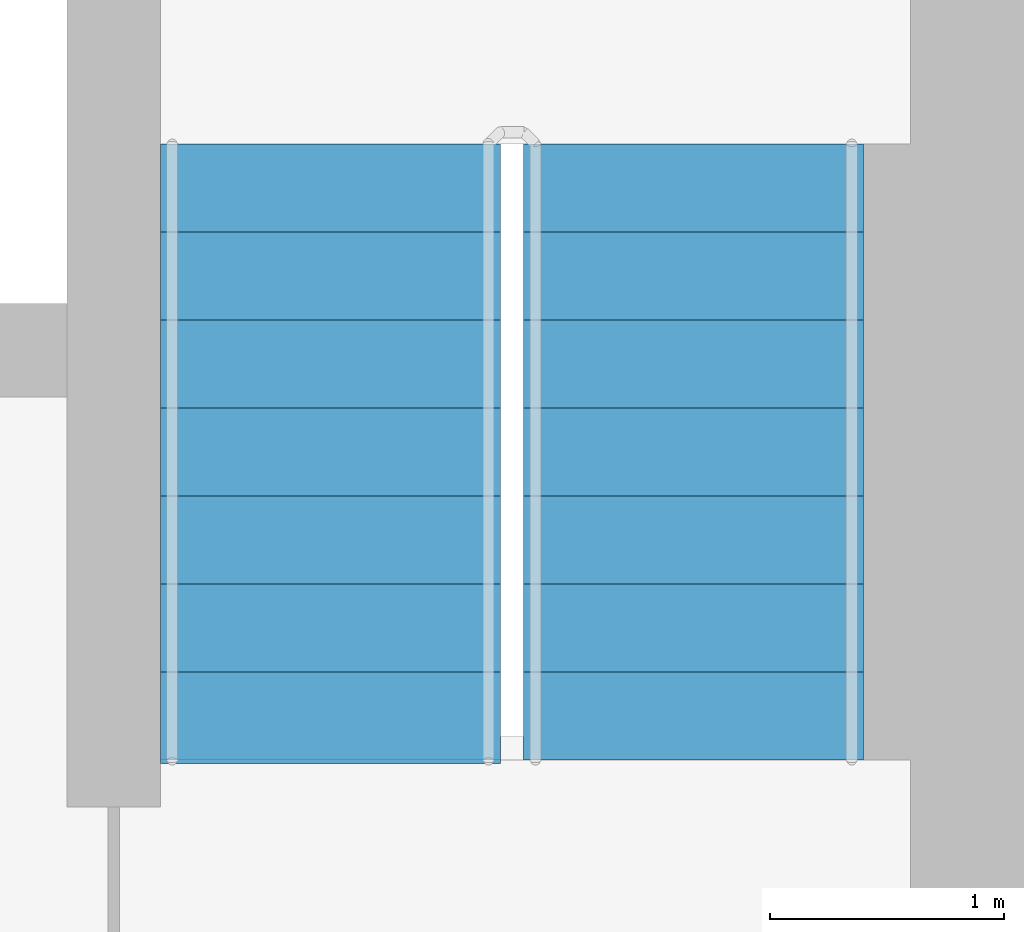
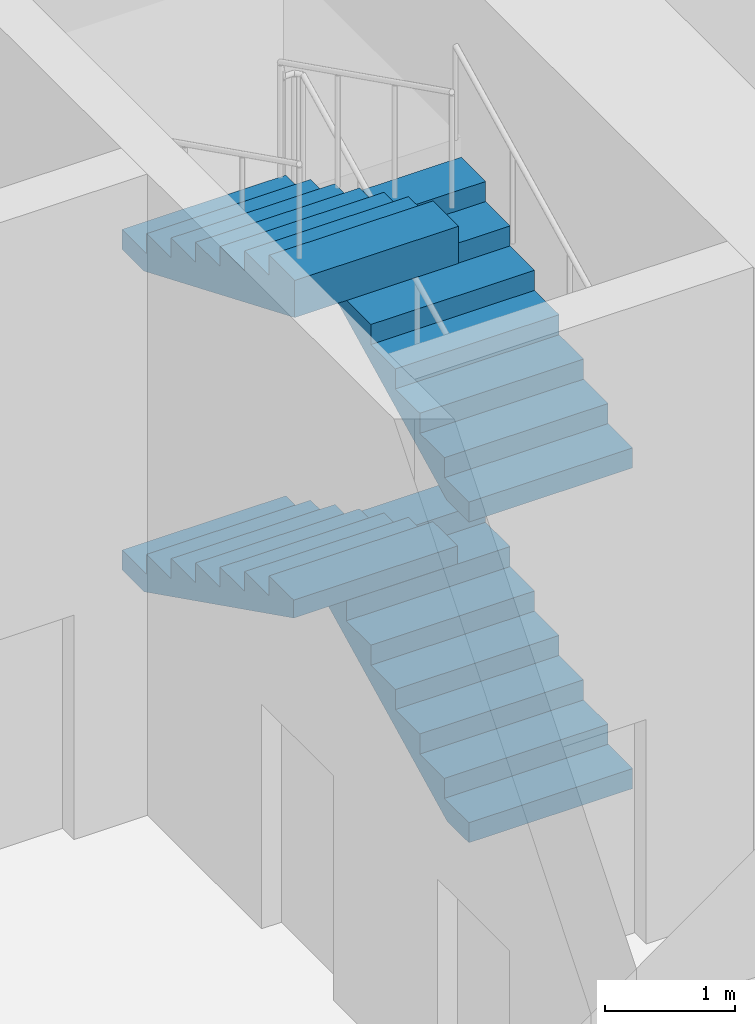
# One storey, part 17 of 21: 4 stair flights, 1 element without a shape of its own.
"""IFC4 building model written with IfcOpenShell, lengths in metres."""

from ifc_helpers import new_model, si_unit, direction, frame, origin, place, context, subcontext, project, spatial, polyline, outline, extrude, material, type_object, element, aggregate, save


model = new_model("IFC4")

# Units and contexts
model_context = context("Model", 3, precision=1e-05, world=origin(), true_north=direction((0.0, 1.0)))
body_context = subcontext(model_context, "Body", "Model", "MODEL_VIEW")
ifc_project = project(units=[si_unit("LENGTHUNIT", "METRE"), si_unit("AREAUNIT", "SQUARE_METRE"), si_unit("VOLUMEUNIT", "CUBIC_METRE"), si_unit("PLANEANGLEUNIT", "RADIAN"), si_unit("MASSUNIT", "GRAM", prefix="KILO")], contexts=[model_context])

# Site, building, storey
site_placement = place(None, origin())
site = spatial("IfcSite", under=ifc_project, at=site_placement, CompositionType="ELEMENT")
building_placement = place(site_placement, origin())
building = spatial("IfcBuilding", under=site, at=building_placement, Name="Bicima Exchange Tower", CompositionType="ELEMENT")
storey_placement = place(building_placement, frame((0.0, 0.0, 8.0)))
storey = spatial("IfcBuildingStorey", under=building, at=storey_placement, Name="L01", CompositionType="ELEMENT", Elevation=8.0)

# Stair, stair flights
ifc_material = material(Name="Concrete C50/60", Category="concrete")
stair_type = type_object("IfcStairType", Name="Exit stair", PredefinedType="HALF_TURN_STAIR", material=ifc_material)
stair_placement = place(storey_placement, origin())
stair = element("IfcStair", 1, at=stair_placement, inside=storey, type_object=stair_type, Name="L01 East exit stair", PredefinedType="HALF_TURN_STAIR")
stair_flight_type = type_object("IfcStairFlightType", Name="Stair flight RC", PredefinedType="STRAIGHT", material=ifc_material)
stair_flight_1_placement = place(storey_placement, frame((20.074951171875, -6.550048828125, 0.0), z_axis=(0.0, 0.0, 1.0), x_axis=(0.0, 1.0, 0.0)))
stair_flight_1 = element("IfcStairFlight", 2, at=stair_flight_1_placement, type_object=stair_flight_type, Name="ST-E flight 1", NumberOfRisers=8, NumberOfTreads=7, PredefinedType="STRAIGHT", RiserHeight=0.1875, TreadLength=0.375714286, context=body_context, shape_type="SweptSolid", body=[
    extrude(outline(polyline([(0.0, 0.0), (0.0, 0.1875), (0.375732421875, 0.1875), (0.375732421875, 0.375), (0.75146484375, 0.375), (0.75146484375, 0.5625), (1.127197265625, 0.5625), (1.127197265625, 0.75), (1.5029296875, 0.75), (1.5029296875, 0.9375), (1.878662109375, 0.9375), (1.878662109375, 1.125), (2.25439453125, 1.125), (2.25439453125, 1.3125), (2.6298828125, 1.3125), (2.6298828125, 1.5), (2.6298828125, 1.14501953125), (0.335693359375, 0.0), (0.0, 0.0)])), frame((0.0, 0.72509765625, 0.0), z_axis=(0.0, -1.0, 0.0), x_axis=(1.0, 0.0, 0.0)), (0.0, 0.0, 1.0), 1.449951171875),
])
stair_flight_2_placement = place(storey_placement, frame((18.52490234375, -3.919921875, 1.5), z_axis=(0.0, 0.0, 1.0), x_axis=(0.0, -1.0, 0.0)))
stair_flight_2 = element("IfcStairFlight", 3, at=stair_flight_2_placement, type_object=stair_flight_type, Name="ST-E flight 2", NumberOfRisers=8, NumberOfTreads=7, PredefinedType="STRAIGHT", RiserHeight=0.1875, TreadLength=0.375714286, context=body_context, shape_type="SweptSolid", body=[
    extrude(outline(polyline([(0.0, 0.0), (0.0, 0.1875), (0.375732421875, 0.1875), (0.375732421875, 0.375), (0.75146484375, 0.375), (0.75146484375, 0.5625), (1.127197265625, 0.5625), (1.127197265625, 0.75), (1.5029296875, 0.75), (1.5029296875, 0.9375), (1.878662109375, 0.9375), (1.878662109375, 1.125), (2.25439453125, 1.125), (2.25439453125, 1.3125), (2.6298828125, 1.3125), (2.6298828125, 1.5), (2.6298828125, 1.14501953125), (0.335693359375, 0.0), (0.0, 0.0)])), frame((0.0, 0.72509765625, 0.0), z_axis=(0.0, -1.0, 0.0), x_axis=(1.0, 0.0, 0.0)), (0.0, 0.0, 1.0), 1.449951171875),
])
stair_flight_3_placement = place(storey_placement, frame((20.074951171875, -6.550048828125, 3.0), z_axis=(0.0, 0.0, 1.0), x_axis=(0.0, 1.0, 0.0)))
stair_flight_3 = element("IfcStairFlight", 4, at=stair_flight_3_placement, type_object=stair_flight_type, Name="ST-E flight 3", NumberOfRisers=8, NumberOfTreads=7, PredefinedType="STRAIGHT", RiserHeight=0.1875, TreadLength=0.375714286, context=body_context, shape_type="SweptSolid", body=[
    extrude(outline(polyline([(0.0, 0.0), (0.0, 0.1875), (0.375732421875, 0.1875), (0.375732421875, 0.375), (0.75146484375, 0.375), (0.75146484375, 0.5625), (1.127197265625, 0.5625), (1.127197265625, 0.75), (1.5029296875, 0.75), (1.5029296875, 0.9375), (1.878662109375, 0.9375), (1.878662109375, 1.125), (2.25439453125, 1.125), (2.25439453125, 1.3125), (2.6298828125, 1.3125), (2.6298828125, 1.5), (2.6298828125, 1.14501953125), (0.335693359375, 0.0), (0.0, 0.0)])), frame((0.0, 0.72509765625, 0.0), z_axis=(0.0, -1.0, 0.0), x_axis=(1.0, 0.0, 0.0)), (0.0, 0.0, 1.0), 1.449951171875),
])
stair_flight_4_placement = place(storey_placement, frame((18.52490234375, -3.919921875, 4.5), z_axis=(0.0, 0.0, 1.0), x_axis=(0.0, -1.0, 0.0)))
stair_flight_4 = element("IfcStairFlight", 5, at=stair_flight_4_placement, type_object=stair_flight_type, Name="ST-E flight 4", NumberOfRisers=8, NumberOfTreads=7, PredefinedType="STRAIGHT", RiserHeight=0.1875, TreadLength=0.375714286, context=body_context, shape_type="SweptSolid", body=[
    extrude(outline(polyline([(0.0, 0.0), (0.0, 0.1875), (0.375732421875, 0.1875), (0.375732421875, 0.375), (0.75146484375, 0.375), (0.75146484375, 0.5625), (1.127197265625, 0.5625), (1.127197265625, 0.75), (1.5029296875, 0.75), (1.5029296875, 0.9375), (1.878662109375, 0.9375), (1.878662109375, 1.125), (2.25439453125, 1.125), (2.25439453125, 1.3125), (2.6298828125, 1.3125), (2.64501953125, 1.3125), (2.64501953125, 0.96484375), (0.335693359375, 0.0), (0.0, 0.0)])), frame((0.0, 0.72509765625, 0.0), z_axis=(0.0, -1.0, 0.0), x_axis=(1.0, 0.0, 0.0)), (0.0, 0.0, 1.0), 1.449951171875),
])
aggregate(stair, [stair_flight_1, stair_flight_2, stair_flight_3, stair_flight_4])

save(model, "model.ifc")
